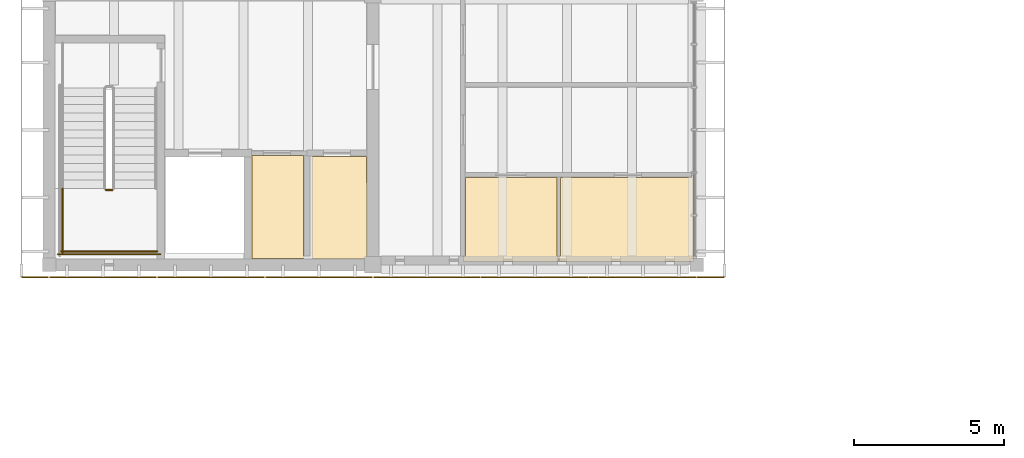
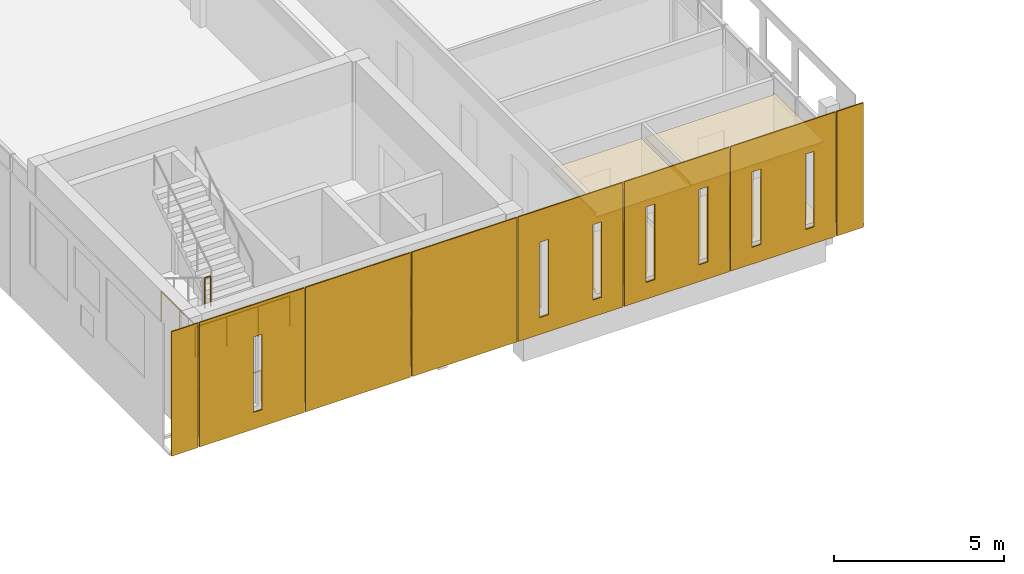
# One storey, part 41 of 50: 14 coverings, 4 railings.
"""IFC4 building model written with IfcOpenShell, lengths in metres."""

from ifc_helpers import new_model, si_unit, direction, frame, origin, origin_2d, place, context, subcontext, project, spatial, polyline, circle, outline, extrude, source, transform, mapped, material, layer, layer_set, type_object, element, save


model = new_model("IFC4")

# Units and contexts
model_context = context("Model", 3, precision=1e-05, world=origin(), true_north=direction((0.0, 1.0)))
body_context = subcontext(model_context, "Body", "Model", "MODEL_VIEW")
ifc_project = project(units=[si_unit("LENGTHUNIT", "METRE"), si_unit("AREAUNIT", "SQUARE_METRE"), si_unit("VOLUMEUNIT", "CUBIC_METRE"), si_unit("PLANEANGLEUNIT", "RADIAN"), si_unit("MASSUNIT", "GRAM", prefix="KILO")], contexts=[model_context])

# Site, building, storey
site_placement = place(None, origin())
site = spatial("IfcSite", under=ifc_project, at=site_placement, CompositionType="ELEMENT")
building_placement = place(site_placement, origin())
building = spatial("IfcBuilding", under=site, at=building_placement, Name="Merrow Basin Faculty of Sciences", CompositionType="ELEMENT")
storey_placement = place(building_placement, frame((0.0, 0.0, 18.0)))
storey = spatial("IfcBuildingStorey", under=building, at=storey_placement, Name="L04", CompositionType="ELEMENT", Elevation=18.0)

# Coverings
ifc_material_1 = material(Name="Carpet tile floor")
ifc_layer_1 = layer(ifc_material_1, 0.02001953125)
ifc_layer_set_1 = layer_set([ifc_layer_1], Name="Carpet tile floor")
covering_type_1 = type_object("IfcCoveringType", Name="Carpet tile floor", PredefinedType="FLOORING", material=ifc_layer_set_1)
covering_1_placement = place(storey_placement, origin())
element("IfcCovering", 1, at=covering_1_placement, inside=storey, type_object=covering_type_1, Name="Floor finish L04-B-004", PredefinedType="FLOORING", context=body_context, shape_type="SweptSolid", body=[
    extrude(outline(polyline([(10.590087890625, 64.614990234375), (10.590087890625, 61.264892578125), (10.7900390625, 61.264892578125), (10.7900390625, 61.110107421875), (10.534912109375, 61.110107421875), (10.534912109375, 61.2099609375), (8.610107421875, 61.2099609375), (8.610107421875, 61.2900390625), (8.7099609375, 61.2900390625), (8.7099609375, 64.614990234375), (10.590087890625, 64.614990234375)])), origin(), (0.0, 0.0, 1.0), 0.02001953125),
])
ifc_material_2 = material(Name="Ceramic floor tile")
ifc_layer_2 = layer(ifc_material_2, 0.02001953125)
ifc_layer_set_2 = layer_set([ifc_layer_2], Name="Ceramic floor tile")
covering_type_2 = type_object("IfcCoveringType", Name="Ceramic floor tile", PredefinedType="FLOORING", material=ifc_layer_set_2)
covering_2_placement = place(storey_placement, origin())
element("IfcCovering", 2, at=covering_2_placement, inside=storey, type_object=covering_type_2, Name="Floor finish L04-B-014", PredefinedType="FLOORING", context=body_context, shape_type="SweptSolid", body=[
    extrude(outline(polyline([(16.989990234375, 61.110107421875), (13.81005859375, 61.110107421875), (13.81005859375, 61.2900390625), (13.885009765625, 61.2900390625), (13.885009765625, 63.9150390625), (16.93994140625, 63.9150390625), (16.93994140625, 61.2900390625), (16.989990234375, 61.2900390625), (16.989990234375, 61.110107421875)])), origin(), (0.0, 0.0, 1.0), 0.02001953125),
])
covering_3_placement = place(storey_placement, origin())
element("IfcCovering", 3, at=covering_3_placement, inside=storey, type_object=covering_type_2, Name="Floor finish L04-B-015", PredefinedType="FLOORING", context=body_context, shape_type="SweptSolid", body=[
    extrude(outline(polyline([(21.489990234375, 63.989990234375), (21.489990234375, 61.110107421875), (17.010009765625, 61.110107421875), (17.010009765625, 61.2900390625), (17.06005859375, 61.2900390625), (17.06005859375, 63.9150390625), (21.429931640625, 63.9150390625), (21.429931640625, 63.989990234375), (21.489990234375, 63.989990234375)])), origin(), (0.0, 0.0, 1.0), 0.02001953125),
])
ifc_material_3 = material(Name="Sealed concrete floor", Category="concrete")
ifc_layer_3 = layer(ifc_material_3, 0.02001953125)
ifc_layer_set_3 = layer_set([ifc_layer_3], Name="Sealed concrete floor")
covering_type_3 = type_object("IfcCoveringType", Name="Sealed concrete floor", PredefinedType="FLOORING", material=ifc_layer_set_3)
covering_4_placement = place(storey_placement, origin())
element("IfcCovering", 4, at=covering_4_placement, inside=storey, type_object=covering_type_3, Name="Floor finish L04-B-003", PredefinedType="FLOORING", context=body_context, shape_type="SweptSolid", body=[
    extrude(outline(polyline([(8.590087890625, 61.2099609375), (6.760009765625, 61.2099609375), (6.760009765625, 64.639892578125), (8.489990234375, 64.639892578125), (8.489990234375, 61.2900390625), (8.590087890625, 61.2900390625), (8.590087890625, 61.2099609375)])), origin(), (0.0, 0.0, 1.0), 0.02001953125),
])

# Railings
ifc_material_4 = material(Name="Steel ASTM A36", Category="steel")
railing_type = type_object("IfcRailingType", Name="Steel guard 1100", PredefinedType="GUARDRAIL", material=ifc_material_4)
railing_1_placement = place(storey_placement, frame((1.89990234375, 63.489990234375, 2.25)))
element("IfcRailing", 5, at=railing_1_placement, inside=storey, type_object=railing_type, Name="L04 ST-V4-S stair guard 2", PredefinedType="GUARDRAIL", context=body_context, shape_type="SweptSolid", body=[
    extrude(circle(Radius=0.02392578125, at=origin_2d()), frame((0.0, 0.0, 1.076171875), z_axis=(1.0, 0.0, 0.0), x_axis=(0.0, 1.0, 0.0)), (0.0, 0.0, 1.0), 0.2001953125),
    extrude(circle(Radius=0.02099609375, at=origin_2d()), origin(), (0.0, 0.0, 1.0), 1.052001953125),
    extrude(circle(Radius=0.02099609375, at=origin_2d()), frame((0.2001953125, 0.0, 0.0)), (0.0, 0.0, 1.0), 1.052001953125),
])
railing_2_placement = place(storey_placement, frame((0.449951171875, 63.5400390625, 2.25)))
element("IfcRailing", 6, at=railing_2_placement, inside=storey, type_object=railing_type, Name="L04 ST-V4-S stair guard 3", PredefinedType="GUARDRAIL", context=body_context, shape_type="SweptSolid", body=[
    extrude(circle(Radius=0.02392578125, at=origin_2d()), frame((0.0, 0.0, 1.076171875), z_axis=(0.0, -1.0, 0.0), x_axis=(1.0, 0.0, 0.0)), (0.0, 0.0, 1.0), 2.14013671875),
    extrude(circle(Radius=0.02099609375, at=origin_2d()), origin(), (0.0, 0.0, 1.0), 1.052001953125),
    extrude(circle(Radius=0.02099609375, at=origin_2d()), frame((0.0, -1.070068359375, 0.0)), (0.0, 0.0, 1.0), 1.052001953125),
    extrude(circle(Radius=0.02099609375, at=origin_2d()), frame((0.0, -2.14013671875, 0.0)), (0.0, 0.0, 1.0), 1.052001953125),
])
railing_3_placement = place(storey_placement, frame((0.39990234375, 61.449951171875, 2.25)))
element("IfcRailing", 7, at=railing_3_placement, inside=storey, type_object=railing_type, Name="L04 ST-V4-S stair guard 4", PredefinedType="GUARDRAIL", context=body_context, shape_type="SweptSolid", body=[
    extrude(circle(Radius=0.02392578125, at=origin_2d()), frame((0.0, 0.0, 1.076171875), z_axis=(1.0, 0.0, 0.0), x_axis=(0.0, 1.0, 0.0)), (0.0, 0.0, 1.0), 3.2001953125),
    extrude(circle(Radius=0.02099609375, at=origin_2d()), origin(), (0.0, 0.0, 1.0), 1.052001953125),
    extrude(circle(Radius=0.02099609375, at=origin_2d()), frame((1.066650390625, 0.0, 0.0)), (0.0, 0.0, 1.0), 1.052001953125),
    extrude(circle(Radius=0.02099609375, at=origin_2d()), frame((2.133544921875, 0.0, 0.0)), (0.0, 0.0, 1.0), 1.052001953125),
    extrude(circle(Radius=0.02099609375, at=origin_2d()), frame((3.2001953125, 0.0, 0.0)), (0.0, 0.0, 1.0), 1.052001953125),
])
railing_4_placement = place(storey_placement, frame((0.300048828125, 61.35009765625, 0.0)))
element("IfcRailing", 8, at=railing_4_placement, inside=storey, type_object=railing_type, Name="L04 ST-V4-S stair guard 9", PredefinedType="GUARDRAIL", context=body_context, shape_type="SweptSolid", body=[
    extrude(circle(Radius=0.02392578125, at=origin_2d()), frame((0.0, 0.0, 1.076171875), z_axis=(1.0, 0.0, 0.0), x_axis=(0.0, 1.0, 0.0)), (0.0, 0.0, 1.0), 3.39990234375),
    extrude(circle(Radius=0.02099609375, at=origin_2d()), origin(), (0.0, 0.0, 1.0), 1.052001953125),
    extrude(circle(Radius=0.02099609375, at=origin_2d()), frame((1.13330078125, 0.0, 0.0)), (0.0, 0.0, 1.0), 1.052001953125),
    extrude(circle(Radius=0.02099609375, at=origin_2d()), frame((2.2666015625, 0.0, 0.0)), (0.0, 0.0, 1.0), 1.052001953125),
    extrude(circle(Radius=0.02099609375, at=origin_2d()), frame((3.39990234375, 0.0, 0.0)), (0.0, 0.0, 1.0), 1.052001953125),
])

# Coverings
ifc_material_5 = material(Name="Mineral fibre ceiling tile")
ifc_layer_4 = layer(ifc_material_5, 0.050048828125)
ifc_layer_set_4 = layer_set([ifc_layer_4], Name="Suspended acoustic ceiling tile")
covering_type_4 = type_object("IfcCoveringType", Name="Suspended acoustic ceiling tile", PredefinedType="CEILING", material=ifc_layer_set_4)
covering_5_placement = place(storey_placement, frame((0.0, 0.0, 2.75)))
element("IfcCovering", 9, at=covering_5_placement, inside=storey, type_object=covering_type_4, Name="Ceiling L04-B-014", PredefinedType="CEILING", context=body_context, shape_type="SweptSolid", body=[
    extrude(outline(polyline([(16.989990234375, 61.110107421875), (13.81005859375, 61.110107421875), (13.81005859375, 61.2900390625), (13.885009765625, 61.2900390625), (13.885009765625, 63.9150390625), (16.93994140625, 63.9150390625), (16.93994140625, 61.2900390625), (16.989990234375, 61.2900390625), (16.989990234375, 61.110107421875)])), origin(), (0.0, 0.0, 1.0), 0.050048828125),
])
covering_6_placement = place(storey_placement, frame((0.0, 0.0, 2.75)))
element("IfcCovering", 10, at=covering_6_placement, inside=storey, type_object=covering_type_4, Name="Ceiling L04-B-015", PredefinedType="CEILING", context=body_context, shape_type="SweptSolid", body=[
    extrude(outline(polyline([(21.489990234375, 63.989990234375), (21.489990234375, 61.110107421875), (17.010009765625, 61.110107421875), (17.010009765625, 61.2900390625), (17.06005859375, 61.2900390625), (17.06005859375, 63.9150390625), (21.429931640625, 63.9150390625), (21.429931640625, 63.989990234375), (21.489990234375, 63.989990234375)])), origin(), (0.0, 0.0, 1.0), 0.050048828125),
])
ifc_material_6 = material(Name="White powder-coated aluminium", Category="aluminium")
ifc_layer_5 = layer(ifc_material_6, 0.0400390625)
ifc_layer_set_5 = layer_set([ifc_layer_5], Name="End corner panel 940 x 4500")
covering_type_5 = type_object("IfcCoveringType", Name="End corner panel 940 x 4500", PredefinedType="CLADDING", material=ifc_layer_set_5)
shared_shape_1 = source(origin(), body_context, "Body", "SweptSolid", [
    extrude(outline(polyline([(0.02001953125, 0.02001953125), (0.919921875, 0.02001953125), (0.919921875, 4.47998046875), (0.02001953125, 4.47998046875), (0.02001953125, 0.02001953125)])), origin(), (0.0, 0.0, 1.0), 0.0400390625),
])
covering_7_placement = place(storey_placement, frame((0.0, 60.56005859375, -0.320068359375), z_axis=(0.0, 1.0, 0.0), x_axis=(-1.0, 0.0, 0.0)))
element("IfcCovering", 11, at=covering_7_placement, inside=storey, type_object=covering_type_5, Name="End panel SL04-01", PredefinedType="CLADDING", context=body_context, shape_type="MappedRepresentation", body=[
    mapped(shared_shape_1, transform((0.0, 0.0, 0.0), scale=1.0)),
])
ifc_material_7 = material(Name="White powder-coated aluminium", Category="aluminium")
ifc_layer_6 = layer(ifc_material_7, 0.0400390625)
ifc_layer_set_6 = layer_set([ifc_layer_6], Name="End panel 3600 x 4500")
covering_type_6 = type_object("IfcCoveringType", Name="End panel 3600 x 4500", PredefinedType="CLADDING", material=ifc_layer_set_6)
shared_shape_2 = source(origin(), body_context, "Body", "SweptSolid", [
    extrude(outline(polyline([(0.02001953125, 0.02001953125), (3.580078125, 0.02001953125), (3.580078125, 4.47998046875), (0.02001953125, 4.47998046875), (0.02001953125, 0.02001953125)]), holes=[polyline([(1.449951171875, 0.6201171875), (1.75, 0.6201171875), (1.75, 3.320068359375), (1.449951171875, 3.320068359375), (1.449951171875, 0.6201171875)])]), origin(), (0.0, 0.0, 1.0), 0.0400390625),
])
covering_8_placement = place(storey_placement, frame((3.60009765625, 60.56005859375, -0.320068359375), z_axis=(0.0, 1.0, 0.0), x_axis=(-1.0, 0.0, 0.0)))
element("IfcCovering", 12, at=covering_8_placement, inside=storey, type_object=covering_type_6, Name="End panel SL04-02", PredefinedType="CLADDING", context=body_context, shape_type="MappedRepresentation", body=[
    mapped(shared_shape_2, transform((0.0, 0.0, 0.0), scale=1.0)),
])
shared_shape_3 = source(origin(), body_context, "Body", "SweptSolid", [
    extrude(outline(polyline([(0.02001953125, 0.02001953125), (3.580078125, 0.02001953125), (3.580078125, 4.47998046875), (0.02001953125, 4.47998046875), (0.02001953125, 0.02001953125)])), origin(), (0.0, 0.0, 1.0), 0.0400390625),
])
covering_9_placement = place(storey_placement, frame((7.199951171875, 60.56005859375, -0.320068359375), z_axis=(0.0, 1.0, 0.0), x_axis=(-1.0, 0.0, 0.0)))
element("IfcCovering", 13, at=covering_9_placement, inside=storey, type_object=covering_type_6, Name="End panel SL04-03", PredefinedType="CLADDING", context=body_context, shape_type="MappedRepresentation", body=[
    mapped(shared_shape_3, transform((0.0, 0.0, 0.0), scale=1.0)),
])
shared_shape_4 = source(origin(), body_context, "Body", "SweptSolid", [
    extrude(outline(polyline([(0.02001953125, 0.02001953125), (3.580078125, 0.02001953125), (3.580078125, 4.47998046875), (0.02001953125, 4.47998046875), (0.02001953125, 0.02001953125)])), origin(), (0.0, 0.0, 1.0), 0.0400390625),
])
covering_10_placement = place(storey_placement, frame((10.800048828125, 60.56005859375, -0.320068359375), z_axis=(0.0, 1.0, 0.0), x_axis=(-1.0, 0.0, 0.0)))
element("IfcCovering", 14, at=covering_10_placement, inside=storey, type_object=covering_type_6, Name="End panel SL04-04", PredefinedType="CLADDING", context=body_context, shape_type="MappedRepresentation", body=[
    mapped(shared_shape_4, transform((0.0, 0.0, 0.0), scale=1.0)),
])
shared_shape_5 = source(origin(), body_context, "Body", "SweptSolid", [
    extrude(outline(polyline([(0.02001953125, 0.02001953125), (3.580078125, 0.02001953125), (3.580078125, 4.47998046875), (0.02001953125, 4.47998046875), (0.02001953125, 0.02001953125)]), holes=[polyline([(2.550048828125, 0.6201171875), (2.85009765625, 0.6201171875), (2.85009765625, 3.320068359375), (2.550048828125, 3.320068359375), (2.550048828125, 0.6201171875)]), polyline([(0.75, 0.6201171875), (1.050048828125, 0.6201171875), (1.050048828125, 3.320068359375), (0.75, 3.320068359375), (0.75, 0.6201171875)])]), origin(), (0.0, 0.0, 1.0), 0.0400390625),
])
covering_11_placement = place(storey_placement, frame((14.39990234375, 60.56005859375, -0.320068359375), z_axis=(0.0, 1.0, 0.0), x_axis=(-1.0, 0.0, 0.0)))
element("IfcCovering", 15, at=covering_11_placement, inside=storey, type_object=covering_type_6, Name="End panel SL04-05", PredefinedType="CLADDING", context=body_context, shape_type="MappedRepresentation", body=[
    mapped(shared_shape_5, transform((0.0, 0.0, 0.0), scale=1.0)),
])
shared_shape_6 = source(origin(), body_context, "Body", "SweptSolid", [
    extrude(outline(polyline([(0.02001953125, 0.02001953125), (3.580078125, 0.02001953125), (3.580078125, 4.47998046875), (0.02001953125, 4.47998046875), (0.02001953125, 0.02001953125)]), holes=[polyline([(2.550048828125, 0.6201171875), (2.85009765625, 0.6201171875), (2.85009765625, 3.320068359375), (2.550048828125, 3.320068359375), (2.550048828125, 0.6201171875)]), polyline([(0.75, 0.6201171875), (1.050048828125, 0.6201171875), (1.050048828125, 3.320068359375), (0.75, 3.320068359375), (0.75, 0.6201171875)])]), origin(), (0.0, 0.0, 1.0), 0.0400390625),
])
covering_12_placement = place(storey_placement, frame((18.0, 60.56005859375, -0.320068359375), z_axis=(0.0, 1.0, 0.0), x_axis=(-1.0, 0.0, 0.0)))
element("IfcCovering", 16, at=covering_12_placement, inside=storey, type_object=covering_type_6, Name="End panel SL04-06", PredefinedType="CLADDING", context=body_context, shape_type="MappedRepresentation", body=[
    mapped(shared_shape_6, transform((0.0, 0.0, 0.0), scale=1.0)),
])
shared_shape_7 = source(origin(), body_context, "Body", "SweptSolid", [
    extrude(outline(polyline([(0.02001953125, 0.02001953125), (3.580078125, 0.02001953125), (3.580078125, 4.47998046875), (0.02001953125, 4.47998046875), (0.02001953125, 0.02001953125)]), holes=[polyline([(2.550048828125, 0.6201171875), (2.85009765625, 0.6201171875), (2.85009765625, 3.320068359375), (2.550048828125, 3.320068359375), (2.550048828125, 0.6201171875)]), polyline([(0.75, 0.6201171875), (1.050048828125, 0.6201171875), (1.050048828125, 3.320068359375), (0.75, 3.320068359375), (0.75, 0.6201171875)])]), origin(), (0.0, 0.0, 1.0), 0.0400390625),
])
covering_13_placement = place(storey_placement, frame((21.60009765625, 60.56005859375, -0.320068359375), z_axis=(0.0, 1.0, 0.0), x_axis=(-1.0, 0.0, 0.0)))
element("IfcCovering", 17, at=covering_13_placement, inside=storey, type_object=covering_type_6, Name="End panel SL04-07", PredefinedType="CLADDING", context=body_context, shape_type="MappedRepresentation", body=[
    mapped(shared_shape_7, transform((0.0, 0.0, 0.0), scale=1.0)),
])
shared_shape_8 = source(origin(), body_context, "Body", "SweptSolid", [
    extrude(outline(polyline([(0.02001953125, 0.02001953125), (0.919921875, 0.02001953125), (0.919921875, 4.47998046875), (0.02001953125, 4.47998046875), (0.02001953125, 0.02001953125)])), origin(), (0.0, 0.0, 1.0), 0.0400390625),
])
covering_14_placement = place(storey_placement, frame((22.5400390625, 60.56005859375, -0.320068359375), z_axis=(0.0, 1.0, 0.0), x_axis=(-1.0, 0.0, 0.0)))
element("IfcCovering", 18, at=covering_14_placement, inside=storey, type_object=covering_type_5, Name="End panel SL04-08", PredefinedType="CLADDING", context=body_context, shape_type="MappedRepresentation", body=[
    mapped(shared_shape_8, transform((0.0, 0.0, 0.0), scale=1.0)),
])

save(model, "model.ifc")
